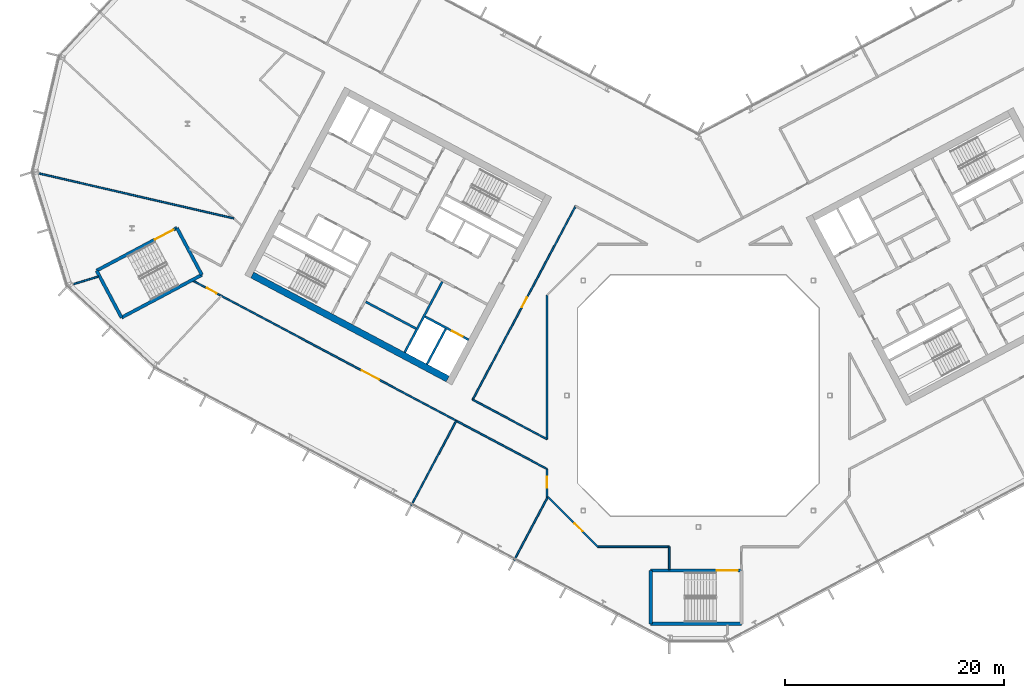
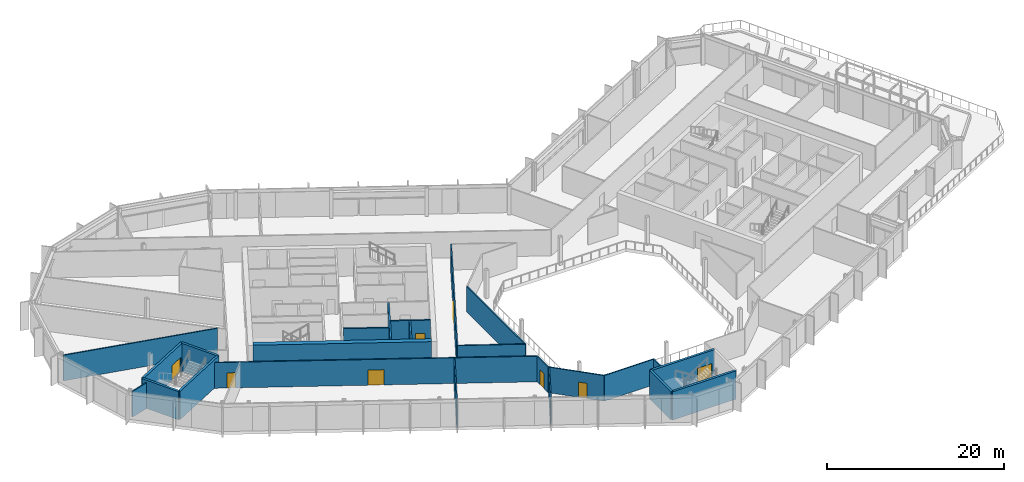
# One storey, part 15 of 31: 24 walls, 8 doors, 8 openings.
"""IFC4 building model written with IfcOpenShell, lengths in metres."""

from ifc_helpers import new_model, si_unit, direction, frame, frame_2d, origin, place, context, subcontext, project, spatial, rectangle, extrude, material, layer, layer_set, type_object, element, fill, save


model = new_model("IFC4")

# Units and contexts
model_context = context("Model", 3, precision=1e-05, world=origin(), true_north=direction((0.0, 1.0)))
body_context = subcontext(model_context, "Body", "Model", "MODEL_VIEW")
ifc_project = project(units=[si_unit("LENGTHUNIT", "METRE"), si_unit("AREAUNIT", "SQUARE_METRE"), si_unit("VOLUMEUNIT", "CUBIC_METRE"), si_unit("PLANEANGLEUNIT", "RADIAN"), si_unit("MASSUNIT", "GRAM", prefix="KILO")], contexts=[model_context])

# Site, building, storey
site_placement = place(None, origin())
site = spatial("IfcSite", under=ifc_project, at=site_placement, CompositionType="ELEMENT")
building_placement = place(site_placement, origin())
building = spatial("IfcBuilding", under=site, at=building_placement, Name="Cormorant Relay Tower", CompositionType="ELEMENT")
storey_placement = place(building_placement, frame((0.0, 0.0, 189.60009765625)))
storey = spatial("IfcBuildingStorey", under=building, at=storey_placement, Name="L40", CompositionType="ELEMENT", Elevation=189.60009765625)

# Walls
ifc_material_1 = material(Name="Concrete 40 MPa", Category="concrete")
ifc_layer_1 = layer(ifc_material_1, 0.199951171875)
ifc_layer_set_1 = layer_set([ifc_layer_1], Name="Core internal wall 200")
wall_type_1 = type_object("IfcWallType", Name="Core internal wall 200", PredefinedType="SOLIDWALL", material=ifc_layer_set_1)
wall_1_placement = place(storey_placement, frame((-25.7490234375, 6.102783203125, 0.0), z_axis=(0.0, 0.0, 1.0), x_axis=(-0.882953967957, 0.469459572775, 0.0)))
element("IfcWall", 1, at=wall_1_placement, inside=storey, type_object=wall_type_1, Name="L40 core A shaft and room wall", PredefinedType="SOLIDWALL", context=body_context, shape_type="SweptSolid", body=[
    extrude(rectangle(XDim=5.199951171875, YDim=0.199951171875, at=frame_2d((2.60009765625, 0.0))), origin(), (0.0, 0.0, 1.0), 3.89990234375),
])
ifc_material_2 = material(Name="Concrete 50 MPa", Category="concrete")
ifc_layer_2 = layer(ifc_material_2, 0.199951171875)
ifc_layer_set_2 = layer_set([ifc_layer_2], Name="Core shaft wall 200")
wall_type_2 = type_object("IfcWallType", Name="Core shaft wall 200", PredefinedType="SHEAR", material=ifc_layer_set_2)
wall_2_placement = place(storey_placement, frame((-23.04296875, 6.07958984375, 0.0), z_axis=(0.0, 0.0, 1.0), x_axis=(-0.469494272526, -0.882935517501, 0.0)))
element("IfcWall", 2, at=wall_2_placement, inside=storey, type_object=wall_type_2, Name="L40 core A shaft wall", PredefinedType="SHEAR", context=body_context, shape_type="SweptSolid", body=[
    extrude(rectangle(XDim=3.64990234375, YDim=0.199951171875, at=frame_2d((1.824951171875, 0.0))), origin(), (0.0, 0.0, 1.0), 3.89990234375),
])
wall_3_placement = place(storey_placement, frame((-23.360107421875, 10.38232421875, 0.0), z_axis=(0.0, 0.0, 1.0), x_axis=(-0.469480409012, -0.88294288918, 0.0)))
element("IfcWall", 3, at=wall_3_placement, inside=storey, type_object=wall_type_2, Name="L40 core A shaft wall", PredefinedType="SHEAR", context=body_context, shape_type="SweptSolid", body=[
    extrude(rectangle(XDim=7.300048828125, YDim=0.199951171875, at=frame_2d((3.64990234375, 0.0))), origin(), (0.0, 0.0, 1.0), 3.89990234375),
])

# Wall, opening, door
wall_4_placement = place(storey_placement, frame((-20.96533203125, 5.088134765625, 0.0), z_axis=(0.0, 0.0, 1.0), x_axis=(-0.882925986334, 0.469512196493, 0.0)))
wall_4 = element("IfcWall", 4, at=wall_4_placement, inside=storey, type_object=wall_type_2, Name="L40 core A shaft wall", PredefinedType="SHEAR", context=body_context, shape_type="SweptSolid", body=[
    extrude(rectangle(XDim=4.5, YDim=0.199951171875, at=frame_2d((2.25, 0.0))), origin(), (0.0, 0.0, 1.0), 3.89990234375),
])
opening_1_placement = place(wall_4_placement, frame((0.60009765625, 0.0, 0.0)))
opening_1 = element("IfcOpeningElement", 5, at=opening_1_placement, cuts=wall_4, Name="Opening LD1-063", PredefinedType="OPENING", context=body_context, shape_type="SweptSolid", body=[
    extrude(rectangle(XDim=1.10009765625, YDim=2.10009765625, at=frame_2d((0.550048828125, 1.050048828125))), frame((0.0, 0.10986328125, 0.0), z_axis=(0.0, -1.0, 0.0), x_axis=(1.0, 0.0, 0.0)), (0.0, 0.0, 1.0), 0.219970703125),
])
ifc_material_3 = material(Name="Stainless steel 316", Category="steel")
door_type_1 = type_object("IfcDoorType", Name="Lift landing door 1100x2100", OperationType="DOUBLE_DOOR_SLIDING", PredefinedType="DOOR", material=ifc_material_3)
door_1_placement = place(opening_1_placement, origin())
door_1 = element("IfcDoor", 6, at=door_1_placement, inside=storey, type_object=door_type_1, Name="FF1 landing door", OperationType="DOUBLE_DOOR_SLIDING", OverallHeight=2.10009765625, OverallWidth=1.10009765625, PredefinedType="DOOR", context=body_context, shape_type="SweptSolid", body=[
    extrude(rectangle(XDim=1.10009765625, YDim=2.10009765625, at=frame_2d((0.550048828125, 1.050048828125))), frame((0.0, 0.02490234375, 0.0), z_axis=(0.0, -1.0, 0.0), x_axis=(1.0, 0.0, 0.0)), (0.0, 0.0, 1.0), 0.050048828125),
])
fill(opening_1, door_1)

# Wall
ifc_material_4 = material(Name="Concrete 50 MPa", Category="concrete")
ifc_layer_3 = layer(ifc_material_4, 0.60009765625)
ifc_layer_set_3 = layer_set([ifc_layer_3], Name="Core wall 600")
wall_type_3 = type_object("IfcWallType", Name="Core wall 600", PredefinedType="SHEAR", material=ifc_layer_set_3)
wall_5_placement = place(storey_placement, frame((-22.86669921875, 1.51220703125, 0.0), z_axis=(0.0, 0.0, 1.0), x_axis=(-0.88294509198, 0.469476266226, 0.0)))
element("IfcWall", 7, at=wall_5_placement, inside=storey, type_object=wall_type_3, Name="L40 core A wall", PredefinedType="SHEAR", context=body_context, shape_type="SweptSolid", body=[
    extrude(rectangle(XDim=20.199951171875, YDim=0.60009765625, at=frame_2d((10.10009765625, 0.0))), origin(), (0.0, 0.0, 1.0), 3.89990234375),
])

# Wall, opening, door
ifc_material_5 = material(Name="Gypsum board fire partition")
ifc_layer_4 = layer(ifc_material_5, 0.14990234375)
ifc_layer_set_4 = layer_set([ifc_layer_4], Name="Corridor partition 150 EI 60")
wall_type_4 = type_object("IfcWallType", Name="Corridor partition 150 EI 60", PredefinedType="PARTITIONING", material=ifc_layer_set_4)
wall_6_placement = place(storey_placement, frame((-13.800048828125, -9.262939453125, 0.0), z_axis=(0.0, 0.0, 1.0), x_axis=(0.0, 1.0, 0.0)))
wall_6 = element("IfcWall", 8, at=wall_6_placement, inside=storey, type_object=wall_type_4, Name="wall/L40/part/015", PredefinedType="PARTITIONING", context=body_context, shape_type="SweptSolid", body=[
    extrude(rectangle(XDim=2.556884765625, YDim=0.14990234375, at=frame_2d((1.2783203125, 0.0))), origin(), (0.0, 0.0, 1.0), 3.539794921875),
])
opening_2_placement = place(wall_6_placement, frame((0.85400390625, 0.0, 0.0)))
opening_2 = element("IfcOpeningElement", 9, at=opening_2_placement, cuts=wall_6, Name="Opening DS-115", PredefinedType="OPENING", context=body_context, shape_type="SweptSolid", body=[
    extrude(rectangle(XDim=1.0, YDim=2.10009765625, at=frame_2d((0.5, 1.050048828125))), frame((0.0, 0.0849609375, 0.0), z_axis=(0.0, -1.0, 0.0), x_axis=(1.0, 0.0, 0.0)), (0.0, 0.0, 1.0), 0.169921875),
])
ifc_material_6 = material(Name="Timber door leaf", Category="wood")
door_type_2 = type_object("IfcDoorType", Name="Suite door 1000x2100", OperationType="SINGLE_SWING_LEFT", PredefinedType="DOOR", material=ifc_material_6)
door_2_placement = place(opening_2_placement, origin())
door_2 = element("IfcDoor", 10, at=door_2_placement, inside=storey, type_object=door_type_2, Name="door/L40/010", OperationType="SINGLE_SWING_RIGHT", OverallHeight=2.10009765625, OverallWidth=1.0, PredefinedType="DOOR", context=body_context, shape_type="SweptSolid", body=[
    extrude(rectangle(XDim=1.0, YDim=2.10009765625, at=frame_2d((0.5, 1.050048828125))), frame((0.0, 0.02490234375, 0.0), z_axis=(0.0, -1.0, 0.0), x_axis=(1.0, 0.0, 0.0)), (0.0, 0.0, 1.0), 0.050048828125),
])
fill(opening_2, door_2)

# Wall, openings, doors
wall_7_placement = place(storey_placement, frame((-13.800048828125, -6.7060546875, 0.0), z_axis=(0.0, 0.0, 1.0), x_axis=(-0.882947286887, 0.469472138235, 0.0)))
wall_7 = element("IfcWall", 11, at=wall_7_placement, inside=storey, type_object=wall_type_4, Name="wall/L40/part/016", PredefinedType="PARTITIONING", context=body_context, shape_type="SweptSolid", body=[
    extrude(rectangle(XDim=36.57080078125, YDim=0.14990234375, at=frame_2d((18.285400390625, 0.0))), origin(), (0.0, 0.0, 1.0), 3.539794921875),
])
opening_3_placement = place(wall_7_placement, frame((34.14990234375, 0.0, 0.0)))
opening_3 = element("IfcOpeningElement", 12, at=opening_3_placement, cuts=wall_7, Name="Opening DS-114", PredefinedType="OPENING", context=body_context, shape_type="SweptSolid", body=[
    extrude(rectangle(XDim=1.0, YDim=2.10009765625, at=frame_2d((0.5, 1.050048828125))), frame((0.0, 0.0849609375, 0.0), z_axis=(0.0, -1.0, 0.0), x_axis=(1.0, 0.0, 0.0)), (0.0, 0.0, 1.0), 0.169921875),
])
opening_4_placement = place(wall_7_placement, frame((17.35009765625, 0.0, 0.0)))
opening_4 = element("IfcOpeningElement", 13, at=opening_4_placement, cuts=wall_7, Name="Opening DD-022", PredefinedType="OPENING", context=body_context, shape_type="SweptSolid", body=[
    extrude(rectangle(XDim=1.800048828125, YDim=2.10009765625, at=frame_2d((0.89990234375, 1.050048828125))), frame((0.0, 0.0849609375, 0.0), z_axis=(0.0, -1.0, 0.0), x_axis=(1.0, 0.0, 0.0)), (0.0, 0.0, 1.0), 0.169921875),
])
door_3_placement = place(opening_3_placement, origin())
door_3 = element("IfcDoor", 14, at=door_3_placement, inside=storey, type_object=door_type_2, Name="door/L40/008", OperationType="SINGLE_SWING_LEFT", OverallHeight=2.10009765625, OverallWidth=1.0, PredefinedType="DOOR", context=body_context, shape_type="SweptSolid", body=[
    extrude(rectangle(XDim=1.0, YDim=2.10009765625, at=frame_2d((0.5, 1.050048828125))), frame((0.0, 0.02490234375, 0.0), z_axis=(0.0, -1.0, 0.0), x_axis=(1.0, 0.0, 0.0)), (0.0, 0.0, 1.0), 0.050048828125),
])
fill(opening_3, door_3)
ifc_material_7 = material(Name="Timber door leaf", Category="wood")
door_type_3 = type_object("IfcDoorType", Name="Suite double door 1800x2100", OperationType="DOUBLE_DOOR_SINGLE_SWING", PredefinedType="DOOR", material=ifc_material_7)
door_4_placement = place(opening_4_placement, origin())
door_4 = element("IfcDoor", 15, at=door_4_placement, inside=storey, type_object=door_type_3, Name="door/L40/009", OperationType="DOUBLE_DOOR_SINGLE_SWING", OverallHeight=2.10009765625, OverallWidth=1.800048828125, PredefinedType="DOOR", context=body_context, shape_type="SweptSolid", body=[
    extrude(rectangle(XDim=1.800048828125, YDim=2.10009765625, at=frame_2d((0.89990234375, 1.050048828125))), frame((0.0, 0.02490234375, 0.0), z_axis=(0.0, -1.0, 0.0), x_axis=(1.0, 0.0, 0.0)), (0.0, 0.0, 1.0), 0.050048828125),
])
fill(opening_4, door_4)

# Wall, opening, door
wall_8_placement = place(storey_placement, frame((-13.72607421875, -9.23388671875, 0.0), z_axis=(0.0, 0.0, 1.0), x_axis=(0.707106781187, -0.707106781187, 0.0)))
wall_8 = element("IfcWall", 16, at=wall_8_placement, inside=storey, type_object=wall_type_4, Name="wall/L40/part/022", PredefinedType="PARTITIONING", context=body_context, shape_type="SweptSolid", body=[
    extrude(rectangle(XDim=6.45751953125, YDim=0.14990234375, at=frame_2d((3.228759765625, 0.0))), origin(), (0.0, 0.0, 1.0), 3.539794921875),
])
opening_5_placement = place(wall_8_placement, frame((3.449951171875, 0.0, 0.0)))
opening_5 = element("IfcOpeningElement", 17, at=opening_5_placement, cuts=wall_8, Name="Opening DS-116", PredefinedType="OPENING", context=body_context, shape_type="SweptSolid", body=[
    extrude(rectangle(XDim=1.0, YDim=2.10009765625, at=frame_2d((0.5, 1.050048828125))), frame((0.0, 0.0849609375, 0.0), z_axis=(0.0, -1.0, 0.0), x_axis=(1.0, 0.0, 0.0)), (0.0, 0.0, 1.0), 0.169921875),
])
door_5_placement = place(opening_5_placement, frame((1.0, 0.0, 0.0), z_axis=(0.0, 0.0, 1.0), x_axis=(-1.0, 0.0, 0.0)))
door_5 = element("IfcDoor", 18, at=door_5_placement, inside=storey, type_object=door_type_2, Name="door/L40/011", OperationType="SINGLE_SWING_RIGHT", OverallHeight=2.10009765625, OverallWidth=1.0, PredefinedType="DOOR", context=body_context, shape_type="SweptSolid", body=[
    extrude(rectangle(XDim=1.0, YDim=2.10009765625, at=frame_2d((0.5, 1.050048828125))), frame((0.0, 0.02490234375, 0.0), z_axis=(0.0, -1.0, 0.0), x_axis=(1.0, 0.0, 0.0)), (0.0, 0.0, 1.0), 0.050048828125),
])
fill(opening_5, door_5)

# Walls
wall_9_placement = place(storey_placement, frame((-2.64892578125, -15.875, 0.0), z_axis=(0.0, 0.0, 1.0), x_axis=(0.0, 1.0, 0.0)))
element("IfcWall", 19, at=wall_9_placement, inside=storey, type_object=wall_type_4, Name="wall/L40/part/023", PredefinedType="PARTITIONING", context=body_context, shape_type="SweptSolid", body=[
    extrude(rectangle(XDim=2.074951171875, YDim=0.14990234375, at=frame_2d((1.03759765625, 0.0))), origin(), (0.0, 0.0, 1.0), 3.539794921875),
])
wall_10_placement = place(storey_placement, frame((-2.64892578125, -13.800048828125, 0.0), z_axis=(0.0, 0.0, 1.0), x_axis=(-1.0, 0.0, 0.0)))
element("IfcWall", 20, at=wall_10_placement, inside=storey, type_object=wall_type_4, Name="wall/L40/part/024", PredefinedType="PARTITIONING", context=body_context, shape_type="SweptSolid", body=[
    extrude(rectangle(XDim=6.510986328125, YDim=0.14990234375, at=frame_2d((3.25537109375, 0.0))), origin(), (0.0, 0.0, 1.0), 3.539794921875),
])

# Wall, opening, door
wall_11_placement = place(storey_placement, frame((-20.587890625, -0.37890625, 0.0), z_axis=(0.0, 0.0, 1.0), x_axis=(0.469489882812, 0.882937851685, 0.0)))
wall_11 = element("IfcWall", 21, at=wall_11_placement, inside=storey, type_object=wall_type_4, Name="wall/L40/part/044", PredefinedType="PARTITIONING", context=body_context, shape_type="SweptSolid", body=[
    extrude(rectangle(XDim=20.000244140625, YDim=0.14990234375, at=frame_2d((10.0, 0.0))), origin(), (0.0, 0.0, 1.0), 3.539794921875),
])
opening_6_placement = place(wall_11_placement, frame((9.550048828125, 0.0, 0.0)))
opening_6 = element("IfcOpeningElement", 22, at=opening_6_placement, cuts=wall_11, Name="Opening DS-117", PredefinedType="OPENING", context=body_context, shape_type="SweptSolid", body=[
    extrude(rectangle(XDim=1.0, YDim=2.10009765625, at=frame_2d((0.5, 1.050048828125))), frame((0.0, 0.0849609375, 0.0), z_axis=(0.0, -1.0, 0.0), x_axis=(1.0, 0.0, 0.0)), (0.0, 0.0, 1.0), 0.169921875),
])
door_6_placement = place(opening_6_placement, frame((1.0, 0.0, 0.0), z_axis=(0.0, 0.0, 1.0), x_axis=(-1.0, 0.0, 0.0)))
door_6 = element("IfcDoor", 23, at=door_6_placement, inside=storey, type_object=door_type_2, Name="door/L40/012", OperationType="SINGLE_SWING_LEFT", OverallHeight=2.10009765625, OverallWidth=1.0, PredefinedType="DOOR", context=body_context, shape_type="SweptSolid", body=[
    extrude(rectangle(XDim=1.0, YDim=2.10009765625, at=frame_2d((0.5, 1.050048828125))), frame((0.0, 0.02490234375, 0.0), z_axis=(0.0, -1.0, 0.0), x_axis=(1.0, 0.0, 0.0)), (0.0, 0.0, 1.0), 0.050048828125),
])
fill(opening_6, door_6)

# Walls
wall_12_placement = place(storey_placement, frame((-13.800048828125, 9.159912109375, 0.0), z_axis=(0.0, 0.0, 1.0), x_axis=(0.0, -1.0, 0.0)))
element("IfcWall", 24, at=wall_12_placement, inside=storey, type_object=wall_type_4, Name="wall/L40/part/048", PredefinedType="PARTITIONING", context=body_context, shape_type="SweptSolid", body=[
    extrude(rectangle(XDim=13.14794921875, YDim=0.14990234375, at=frame_2d((6.573974609375, 0.0))), origin(), (0.0, 0.0, 1.0), 3.539794921875),
])
wall_13_placement = place(storey_placement, frame((-13.800048828125, -3.988037109375, 0.0), z_axis=(0.0, 0.0, 1.0), x_axis=(-0.882949137368, 0.469468657976, 0.0)))
element("IfcWall", 25, at=wall_13_placement, inside=storey, type_object=wall_type_4, Name="wall/L40/part/049", PredefinedType="PARTITIONING", context=body_context, shape_type="SweptSolid", body=[
    extrude(rectangle(XDim=7.687744140625, YDim=0.14990234375, at=frame_2d((3.84375, 0.0))), origin(), (0.0, 0.0, 1.0), 3.539794921875),
])
ifc_material_8 = material(Name="Concrete 50 MPa", Category="concrete")
ifc_layer_5 = layer(ifc_material_8, 0.300048828125)
ifc_layer_set_5 = layer_set([ifc_layer_5], Name="Remote stair wall 300")
wall_type_5 = type_object("IfcWallType", Name="Remote stair wall 300", PredefinedType="SHEAR", material=ifc_layer_set_5)
wall_14_placement = place(storey_placement, frame((3.949951171875, -20.824951171875, 0.0), z_axis=(0.0, 0.0, 1.0), x_axis=(-1.0, 0.0, 0.0)))
element("IfcWall", 26, at=wall_14_placement, inside=storey, type_object=wall_type_5, Name="L40 exit stair RK1 wall", PredefinedType="SHEAR", context=body_context, shape_type="SweptSolid", body=[
    extrude(rectangle(XDim=8.300048828125, YDim=0.300048828125, at=frame_2d((4.14990234375, 0.0))), origin(), (0.0, 0.0, 1.0), 3.89990234375),
])
wall_15_placement = place(storey_placement, frame((-4.35009765625, -20.824951171875, 0.0), z_axis=(0.0, 0.0, 1.0), x_axis=(0.0, 1.0, 0.0)))
element("IfcWall", 27, at=wall_15_placement, inside=storey, type_object=wall_type_5, Name="L40 exit stair RK1 wall", PredefinedType="SHEAR", context=body_context, shape_type="SweptSolid", body=[
    extrude(rectangle(XDim=4.849853515625, YDim=0.300048828125, at=frame_2d((2.4248046875, 0.0))), origin(), (0.0, 0.0, 1.0), 3.89990234375),
])

# Wall, opening, door
wall_16_placement = place(storey_placement, frame((-4.35009765625, -15.97509765625, 0.0), z_axis=(0.0, 0.0, 1.0), x_axis=(1.0, 0.0, 0.0)))
wall_16 = element("IfcWall", 28, at=wall_16_placement, inside=storey, type_object=wall_type_5, Name="L40 exit stair RK1 wall", PredefinedType="SHEAR", context=body_context, shape_type="SweptSolid", body=[
    extrude(rectangle(XDim=8.300048828125, YDim=0.300048828125, at=frame_2d((4.14990234375, 0.0))), origin(), (0.0, 0.0, 1.0), 3.89990234375),
])
opening_7_placement = place(wall_16_placement, frame((6.050048828125, 0.0, 0.0)))
opening_7 = element("IfcOpeningElement", 29, at=opening_7_placement, cuts=wall_16, Name="Opening CDE-014", PredefinedType="OPENING", context=body_context, shape_type="SweptSolid", body=[
    extrude(rectangle(XDim=1.89990234375, YDim=2.10009765625, at=frame_2d((0.949951171875, 1.050048828125))), frame((0.0, 0.159912109375, 0.0), z_axis=(0.0, -1.0, 0.0), x_axis=(1.0, 0.0, 0.0)), (0.0, 0.0, 1.0), 0.320068359375),
])
ifc_material_9 = material(Name="Steel fire door", Category="steel")
door_type_4 = type_object("IfcDoorType", Name="Remote stair door 1900x2100", OperationType="DOUBLE_DOOR_SINGLE_SWING", PredefinedType="DOOR", material=ifc_material_9)
door_7_placement = place(opening_7_placement, frame((1.89990234375, 0.0, 0.0), z_axis=(0.0, 0.0, 1.0), x_axis=(-1.0, 0.0, 0.0)))
door_7 = element("IfcDoor", 30, at=door_7_placement, inside=storey, type_object=door_type_4, Name="Exit stair RK1 door", OperationType="DOUBLE_DOOR_SINGLE_SWING", OverallHeight=2.10009765625, OverallWidth=1.89990234375, PredefinedType="DOOR", context=body_context, shape_type="SweptSolid", body=[
    extrude(rectangle(XDim=1.89990234375, YDim=2.10009765625, at=frame_2d((0.949951171875, 1.050048828125))), frame((0.0, 0.02490234375, 0.0), z_axis=(0.0, -1.0, 0.0), x_axis=(1.0, 0.0, 0.0)), (0.0, 0.0, 1.0), 0.050048828125),
])
fill(opening_7, door_7)

# Walls
wall_17_placement = place(storey_placement, frame((-47.57421875, 15.28955078125, 0.0), z_axis=(0.0, 0.0, 1.0), x_axis=(0.469443498566, -0.882962514297, 0.0)))
element("IfcWall", 31, at=wall_17_placement, inside=storey, type_object=wall_type_5, Name="L40 exit stair RP1 wall", PredefinedType="SHEAR", context=body_context, shape_type="SweptSolid", body=[
    extrude(rectangle(XDim=4.85009765625, YDim=0.300048828125, at=frame_2d((2.425048828125, 0.0))), origin(), (0.0, 0.0, 1.0), 3.89990234375),
])
wall_18_placement = place(storey_placement, frame((-45.29736328125, 11.007080078125, 0.0), z_axis=(0.0, 0.0, 1.0), x_axis=(-0.882951519127, -0.469464178475, 0.0)))
element("IfcWall", 32, at=wall_18_placement, inside=storey, type_object=wall_type_5, Name="L40 exit stair RP1 wall", PredefinedType="SHEAR", context=body_context, shape_type="SweptSolid", body=[
    extrude(rectangle(XDim=8.2998046875, YDim=0.300048828125, at=frame_2d((4.14990234375, 0.0))), origin(), (0.0, 0.0, 1.0), 3.89990234375),
])
wall_19_placement = place(storey_placement, frame((-52.625732421875, 7.110595703125, 0.0), z_axis=(0.0, 0.0, 1.0), x_axis=(-0.469464364128, 0.882951420416, 0.0)))
element("IfcWall", 33, at=wall_19_placement, inside=storey, type_object=wall_type_5, Name="L40 exit stair RP1 wall", PredefinedType="SHEAR", context=body_context, shape_type="SweptSolid", body=[
    extrude(rectangle(XDim=4.849853515625, YDim=0.300048828125, at=frame_2d((2.4248046875, 0.0))), origin(), (0.0, 0.0, 1.0), 3.89990234375),
])

# Wall, opening, door
wall_20_placement = place(storey_placement, frame((-54.902587890625, 11.392822265625, 0.0), z_axis=(0.0, 0.0, 1.0), x_axis=(0.882939326045, 0.469487110071, 0.0)))
wall_20 = element("IfcWall", 34, at=wall_20_placement, inside=storey, type_object=wall_type_5, Name="L40 exit stair RP1 wall", PredefinedType="SHEAR", context=body_context, shape_type="SweptSolid", body=[
    extrude(rectangle(XDim=8.300048828125, YDim=0.300048828125, at=frame_2d((4.14990234375, 0.0))), origin(), (0.0, 0.0, 1.0), 3.89990234375),
])
opening_8_placement = place(wall_20_placement, frame((6.050048828125, 0.0, 0.0)))
opening_8 = element("IfcOpeningElement", 35, at=opening_8_placement, cuts=wall_20, Name="Opening CDE-015", PredefinedType="OPENING", context=body_context, shape_type="SweptSolid", body=[
    extrude(rectangle(XDim=1.89990234375, YDim=2.10009765625, at=frame_2d((0.949951171875, 1.050048828125))), frame((0.0, 0.159912109375, 0.0), z_axis=(0.0, -1.0, 0.0), x_axis=(1.0, 0.0, 0.0)), (0.0, 0.0, 1.0), 0.320068359375),
])
door_8_placement = place(opening_8_placement, frame((1.89990234375, 0.0, 0.0), z_axis=(0.0, 0.0, 1.0), x_axis=(-1.0, 0.0, 0.0)))
door_8 = element("IfcDoor", 36, at=door_8_placement, inside=storey, type_object=door_type_4, Name="Exit stair RP1 door", OperationType="DOUBLE_DOOR_SINGLE_SWING", OverallHeight=2.10009765625, OverallWidth=1.89990234375, PredefinedType="DOOR", context=body_context, shape_type="SweptSolid", body=[
    extrude(rectangle(XDim=1.89990234375, YDim=2.10009765625, at=frame_2d((0.949951171875, 1.050048828125))), frame((0.0, 0.02490234375, 0.0), z_axis=(0.0, -1.0, 0.0), x_axis=(1.0, 0.0, 0.0)), (0.0, 0.0, 1.0), 0.050048828125),
])
fill(opening_8, door_8)

# Walls
ifc_material_10 = material(Name="Gypsum board partition")
ifc_layer_6 = layer(ifc_material_10, 0.14990234375)
ifc_layer_set_6 = layer_set([ifc_layer_6], Name="Tenant partition 150")
wall_type_6 = type_object("IfcWallType", Name="Tenant partition 150", PredefinedType="PARTITIONING", material=ifc_layer_set_6)
wall_21_placement = place(storey_placement, frame((-60.162109375, 20.264892578125, 0.0), z_axis=(0.0, 0.0, 1.0), x_axis=(0.974367298847, -0.224963034603, 0.0)))
element("IfcWall", 37, at=wall_21_placement, inside=storey, type_object=wall_type_6, Name="wall/L40/part/001", PredefinedType="PARTITIONING", context=body_context, shape_type="SweptSolid", body=[
    extrude(rectangle(XDim=18.256103515625, YDim=0.14990234375, at=frame_2d((9.1279296875, 0.0))), origin(), (0.0, 0.0, 1.0), 3.539794921875),
])
wall_22_placement = place(storey_placement, frame((-54.73193359375, 10.85693359375, 0.0), z_axis=(0.0, 0.0, 1.0), x_axis=(-0.956308315689, -0.292360061129, 0.0)))
element("IfcWall", 38, at=wall_22_placement, inside=storey, type_object=wall_type_6, Name="wall/L40/part/004", PredefinedType="PARTITIONING", context=body_context, shape_type="SweptSolid", body=[
    extrude(rectangle(XDim=2.36669921875, YDim=0.14990234375, at=frame_2d((1.183349609375, 0.0))), origin(), (0.0, 0.0, 1.0), 3.539794921875),
])
wall_23_placement = place(storey_placement, frame((-22.0830078125, -2.302001953125, 0.0), z_axis=(0.0, 0.0, 1.0), x_axis=(-0.469445946219, -0.882961212952, 0.0)))
element("IfcWall", 39, at=wall_23_placement, inside=storey, type_object=wall_type_6, Name="wall/L40/part/010", PredefinedType="PARTITIONING", context=body_context, shape_type="SweptSolid", body=[
    extrude(rectangle(XDim=8.800048828125, YDim=0.14990234375, at=frame_2d((4.39990234375, 0.0))), origin(), (0.0, 0.0, 1.0), 3.539794921875),
])
wall_24_placement = place(storey_placement, frame((-13.72607421875, -9.23388671875, 0.0), z_axis=(0.0, 0.0, 1.0), x_axis=(-0.469465185833, -0.882950983515, 0.0)))
element("IfcWall", 40, at=wall_24_placement, inside=storey, type_object=wall_type_6, Name="wall/L40/part/021", PredefinedType="PARTITIONING", context=body_context, shape_type="SweptSolid", body=[
    extrude(rectangle(XDim=6.60302734375, YDim=0.14990234375, at=frame_2d((3.301513671875, 0.0))), origin(), (0.0, 0.0, 1.0), 3.539794921875),
])

save(model, "model.ifc")
